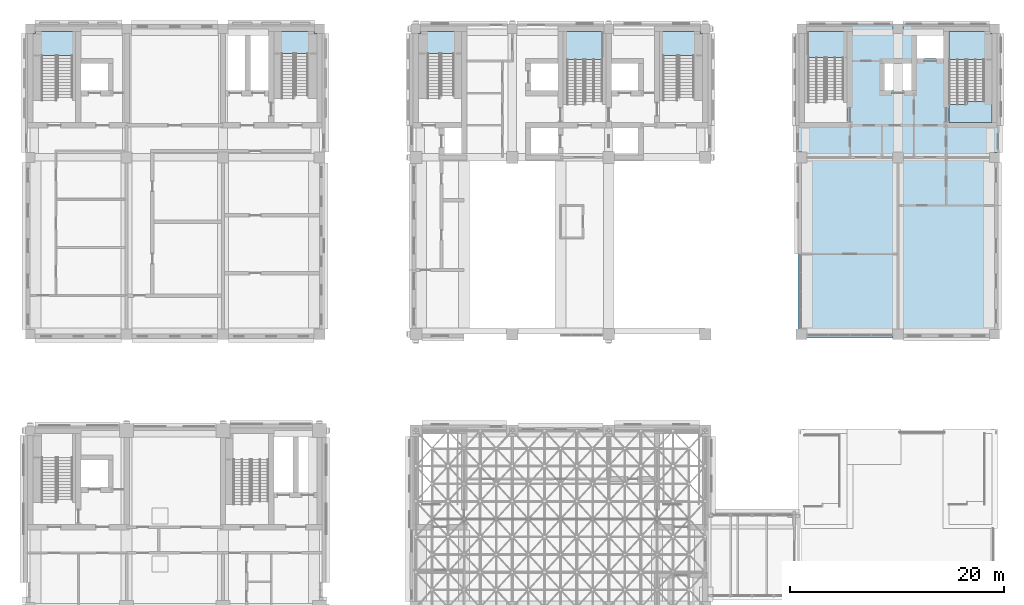
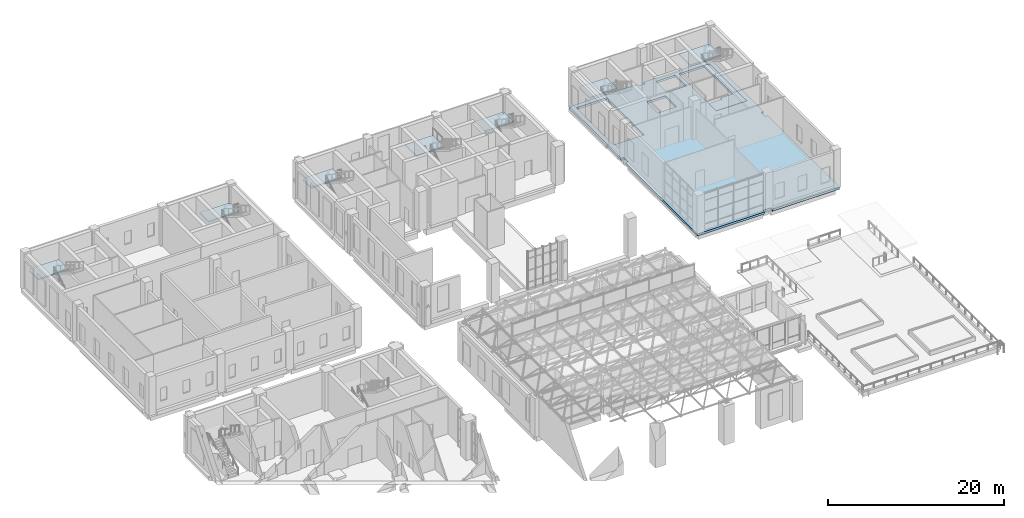
# One storey, part 24 of 53: 9 slabs, 7 elements without a shape of their own.
"""IFC4 building model written with IfcOpenShell, lengths in metres."""

from ifc_helpers import new_model, si_unit, direction, frame, origin, place, context, subcontext, project, spatial, polyline, outline, extrude, material, layer, layer_set, type_object, element, aggregate, save


model = new_model("IFC4")

# Units and contexts
model_context = context("Model", 3, precision=1e-05, world=origin(), true_north=direction((0.0, 1.0)))
body_context = subcontext(model_context, "Body", "Model", "MODEL_VIEW")
ifc_project = project(units=[si_unit("LENGTHUNIT", "METRE"), si_unit("AREAUNIT", "SQUARE_METRE"), si_unit("VOLUMEUNIT", "CUBIC_METRE"), si_unit("PLANEANGLEUNIT", "RADIAN"), si_unit("MASSUNIT", "GRAM", prefix="KILO")], contexts=[model_context])

# Site, building, storey
site_placement = place(None, origin())
site = spatial("IfcSite", under=ifc_project, at=site_placement, CompositionType="ELEMENT")
building_placement = place(site_placement, origin())
building = spatial("IfcBuilding", under=site, at=building_placement, Name="Aurelan Courthouse", CompositionType="ELEMENT")
storey_placement = place(building_placement, frame((0.0, 0.0, 12.0)))
storey = spatial("IfcBuildingStorey", under=building, at=storey_placement, Name="L02", CompositionType="ELEMENT", Elevation=12.0)

# Slab
ifc_material_1 = material(Name="Concrete C40", Category="concrete")
ifc_layer_1 = layer(ifc_material_1, 0.300048828125)
ifc_layer_set_1 = layer_set([ifc_layer_1], Name="Concrete C40")
slab_type_1 = type_object("IfcSlabType", Name="PT floor slab 300", PredefinedType="FLOOR", material=ifc_layer_set_1)
slab_1_placement = place(storey_placement, frame((0.0, 0.0, -0.300048828125)))
element("IfcSlab", 1, at=slab_1_placement, inside=storey, type_object=slab_type_1, Name="Floor slab SL-L02-03", PredefinedType="FLOOR", context=body_context, shape_type="SweptSolid", body=[
    extrude(outline(polyline([(72.0, 53.5), (71.64990234375, 53.5), (71.64990234375, 38.0), (71.64990234375, 37.14990234375), (72.5, 37.14990234375), (80.5, 37.14990234375), (80.5, 37.5), (81.5, 37.5), (81.5, 37.14990234375), (89.550048828125, 37.14990234375), (90.35009765625, 37.14990234375), (90.35009765625, 37.949951171875), (90.35009765625, 53.550048828125), (90.0, 53.550048828125), (90.0, 54.449951171875), (90.35009765625, 54.449951171875), (90.35009765625, 65.550048828125), (90.35009765625, 66.35009765625), (89.550048828125, 66.35009765625), (81.449951171875, 66.35009765625), (81.449951171875, 66.0), (80.550048828125, 66.0), (80.550048828125, 66.35009765625), (72.449951171875, 66.35009765625), (71.64990234375, 66.35009765625), (71.64990234375, 65.550048828125), (71.64990234375, 54.5), (72.0, 54.5), (72.0, 53.5)]), holes=[polyline([(85.75, 57.25), (85.75, 65.75), (89.75, 65.75), (89.75, 57.25), (85.75, 57.25)]), polyline([(82.75, 65.75), (85.25, 65.75), (85.25, 63.25), (82.75, 63.25), (82.75, 65.75)]), polyline([(82.25, 62.75), (82.25, 60.25), (79.75, 60.25), (79.75, 62.75), (82.25, 62.75)]), polyline([(76.25, 57.25), (72.25, 57.25), (72.25, 65.75), (76.25, 65.75), (76.25, 57.25)])]), origin(), (0.0, 0.0, 1.0), 0.300048828125),
])

# Stair, slab
ifc_material_2 = material(Name="Concrete C30", Category="concrete")
stair_type_1 = type_object("IfcStairType", Name="Half-turn stair 1600 wide 31 risers", PredefinedType="HALF_TURN_STAIR", material=ifc_material_2)
stair_1_placement = place(storey_placement, origin())
stair_1 = element("IfcStair", 2, at=stair_1_placement, inside=storey, type_object=stair_type_1, Name="Stair ST-3B-L02", PredefinedType="HALF_TURN_STAIR")
ifc_layer_2 = layer(ifc_material_2, 0.300048828125)
ifc_layer_set_2 = layer_set([ifc_layer_2], Name="Concrete C30")
slab_type_2 = type_object("IfcSlabType", Name="Stair floor landing 300 thick", PredefinedType="LANDING", material=ifc_layer_set_2)
slab_2_placement = place(storey_placement, frame((0.0, 0.0, -0.300048828125)))
slab_2 = element("IfcSlab", 3, at=slab_2_placement, type_object=slab_type_2, Name="Stair ST-3B-L02 floor landing", PredefinedType="LANDING", context=body_context, shape_type="SweptSolid", body=[
    extrude(outline(polyline([(89.050048828125, 59.240966796875), (89.050048828125, 65.590087890625), (89.050048828125, 65.60009765625), (89.050048828125, 65.75), (89.550048828125, 65.75), (89.550048828125, 65.550048828125), (89.75, 65.550048828125), (89.75, 57.25), (89.60009765625, 57.25), (89.590087890625, 57.25), (85.75, 57.25), (85.75, 58.9609375), (87.449951171875, 58.9609375), (87.449951171875, 59.240966796875), (89.050048828125, 59.240966796875)])), origin(), (0.0, 0.0, 1.0), 0.300048828125),
])

stair_type_2 = type_object("IfcStairType", Name="Half-turn stair 1200 wide 31 risers", PredefinedType="HALF_TURN_STAIR", material=ifc_material_2)
stair_2_placement = place(storey_placement, origin())
stair_2 = element("IfcStair", 4, at=stair_2_placement, inside=storey, type_object=stair_type_2, Name="Stair CS-2-L02", PredefinedType="HALF_TURN_STAIR")
ifc_layer_3 = layer(ifc_material_2, 0.199951171875)
ifc_layer_set_3 = layer_set([ifc_layer_3], Name="Concrete C30")
slab_type_3 = type_object("IfcSlabType", Name="Stair half landing 200 thick", PredefinedType="LANDING", material=ifc_layer_set_3)
slab_3_placement = place(storey_placement, frame((0.0, 0.0, 2.587158203125)))
slab_3 = element("IfcSlab", 5, at=slab_3_placement, type_object=slab_type_3, Name="Stair CS-2-L02 half landing", PredefinedType="LANDING", context=body_context, shape_type="SweptSolid", body=[
    extrude(outline(polyline([(36.25, 65.550048828125), (36.449951171875, 65.550048828125), (36.449951171875, 65.75), (40.25, 65.75), (40.25, 63.7099609375), (36.25, 63.7099609375), (36.25, 65.550048828125)])), origin(), (0.0, 0.0, 1.0), 0.199951171875),
])
aggregate(stair_2, [slab_3])

stair_3_placement = place(storey_placement, origin())
stair_3 = element("IfcStair", 6, at=stair_3_placement, inside=storey, type_object=stair_type_2, Name="Stair CS-6-L02", PredefinedType="HALF_TURN_STAIR")
slab_4_placement = place(storey_placement, frame((0.0, 0.0, 2.587158203125)))
slab_4 = element("IfcSlab", 7, at=slab_4_placement, type_object=slab_type_3, Name="Stair CS-6-L02 half landing", PredefinedType="LANDING", context=body_context, shape_type="SweptSolid", body=[
    extrude(outline(polyline([(22.75, 65.75), (26.550048828125, 65.75), (26.550048828125, 65.550048828125), (26.75, 65.550048828125), (26.75, 63.7099609375), (22.75, 63.7099609375), (22.75, 65.75)])), origin(), (0.0, 0.0, 1.0), 0.199951171875),
])
aggregate(stair_3, [slab_4])

stair_4_placement = place(storey_placement, origin())
stair_4 = element("IfcStair", 8, at=stair_4_placement, inside=storey, type_object=stair_type_1, Name="Stair ST-2A-L02", PredefinedType="HALF_TURN_STAIR")
slab_5_placement = place(storey_placement, frame((0.0, 0.0, 2.587158203125)))
slab_5 = element("IfcSlab", 9, at=slab_5_placement, type_object=slab_type_3, Name="Stair ST-2A-L02 half landing", PredefinedType="LANDING", context=body_context, shape_type="SweptSolid", body=[
    extrude(outline(polyline([(49.75, 63.159912109375), (49.75, 65.75), (53.39990234375, 65.75), (53.39990234375, 63.159912109375), (49.75, 63.159912109375)])), origin(), (0.0, 0.0, 1.0), 0.199951171875),
])
aggregate(stair_4, [slab_5])

stair_type_3 = type_object("IfcStairType", Name="Half-turn stair 1400 wide 31 risers", PredefinedType="HALF_TURN_STAIR", material=ifc_material_2)
stair_5_placement = place(storey_placement, origin())
stair_5 = element("IfcStair", 10, at=stair_5_placement, inside=storey, type_object=stair_type_3, Name="Stair ST-2E-L02", PredefinedType="HALF_TURN_STAIR")
slab_6_placement = place(storey_placement, frame((0.0, 0.0, 2.587158203125)))
slab_6 = element("IfcSlab", 11, at=slab_6_placement, type_object=slab_type_3, Name="Stair ST-2E-L02 half landing", PredefinedType="LANDING", context=body_context, shape_type="SweptSolid", body=[
    extrude(outline(polyline([(58.75, 65.75), (62.550048828125, 65.75), (62.550048828125, 65.550048828125), (62.75, 65.550048828125), (62.75, 63.510009765625), (58.75, 63.510009765625), (58.75, 65.75)])), origin(), (0.0, 0.0, 1.0), 0.199951171875),
])
aggregate(stair_5, [slab_6])

stair_6_placement = place(storey_placement, origin())
stair_6 = element("IfcStair", 12, at=stair_6_placement, inside=storey, type_object=stair_type_1, Name="Stair ST-3A-L02", PredefinedType="HALF_TURN_STAIR")
slab_7_placement = place(storey_placement, frame((0.0, 0.0, 2.587158203125)))
slab_7 = element("IfcSlab", 13, at=slab_7_placement, type_object=slab_type_3, Name="Stair ST-3A-L02 half landing", PredefinedType="LANDING", context=body_context, shape_type="SweptSolid", body=[
    extrude(outline(polyline([(72.60009765625, 65.75), (76.25, 65.75), (76.25, 63.31005859375), (72.60009765625, 63.31005859375), (72.60009765625, 65.75)])), origin(), (0.0, 0.0, 1.0), 0.199951171875),
])
aggregate(stair_6, [slab_7])

# Slab
slab_8_placement = place(storey_placement, frame((0.0, 0.0, 2.587158203125)))
slab_8 = element("IfcSlab", 14, at=slab_8_placement, type_object=slab_type_3, Name="Stair ST-3B-L02 half landing", PredefinedType="LANDING", context=body_context, shape_type="SweptSolid", body=[
    extrude(outline(polyline([(85.75, 63.159912109375), (85.75, 65.75), (89.550048828125, 65.75), (89.550048828125, 65.550048828125), (89.75, 65.550048828125), (89.75, 63.159912109375), (85.75, 63.159912109375)])), origin(), (0.0, 0.0, 1.0), 0.199951171875),
])

aggregate(stair_1, [slab_8, slab_2])

# Stair, slab
stair_7_placement = place(storey_placement, origin())
stair_7 = element("IfcStair", 15, at=stair_7_placement, inside=storey, type_object=stair_type_3, Name="Stair ST-6-L02", PredefinedType="HALF_TURN_STAIR")
slab_9_placement = place(storey_placement, frame((0.0, 0.0, 2.587158203125)))
slab_9 = element("IfcSlab", 16, at=slab_9_placement, type_object=slab_type_3, Name="Stair ST-6-L02 half landing", PredefinedType="LANDING", context=body_context, shape_type="SweptSolid", body=[
    extrude(outline(polyline([(0.25, 65.550048828125), (0.449951171875, 65.550048828125), (0.449951171875, 65.75), (4.25, 65.75), (4.25, 63.510009765625), (0.25, 63.510009765625), (0.25, 65.550048828125)])), origin(), (0.0, 0.0, 1.0), 0.199951171875),
])
aggregate(stair_7, [slab_9])

save(model, "model.ifc")
